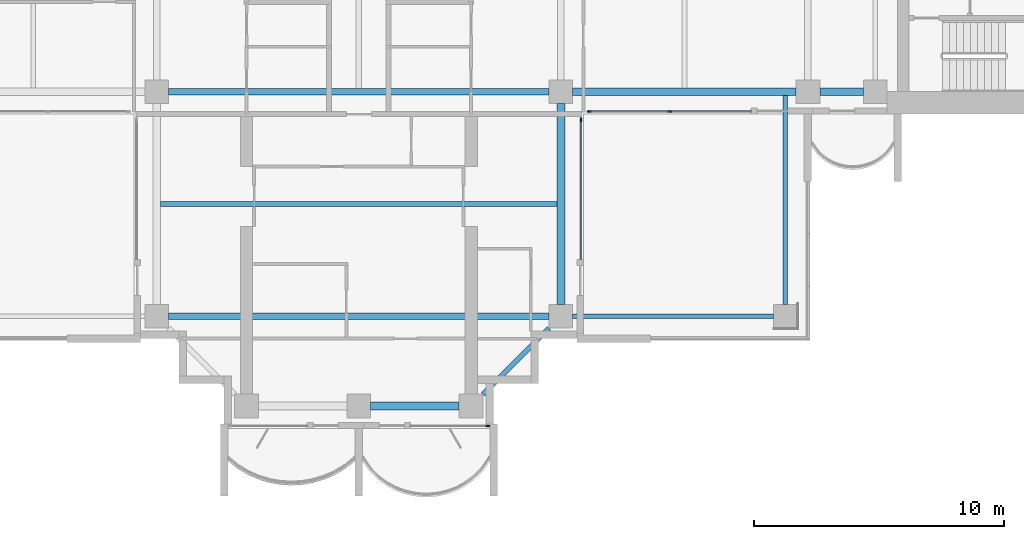
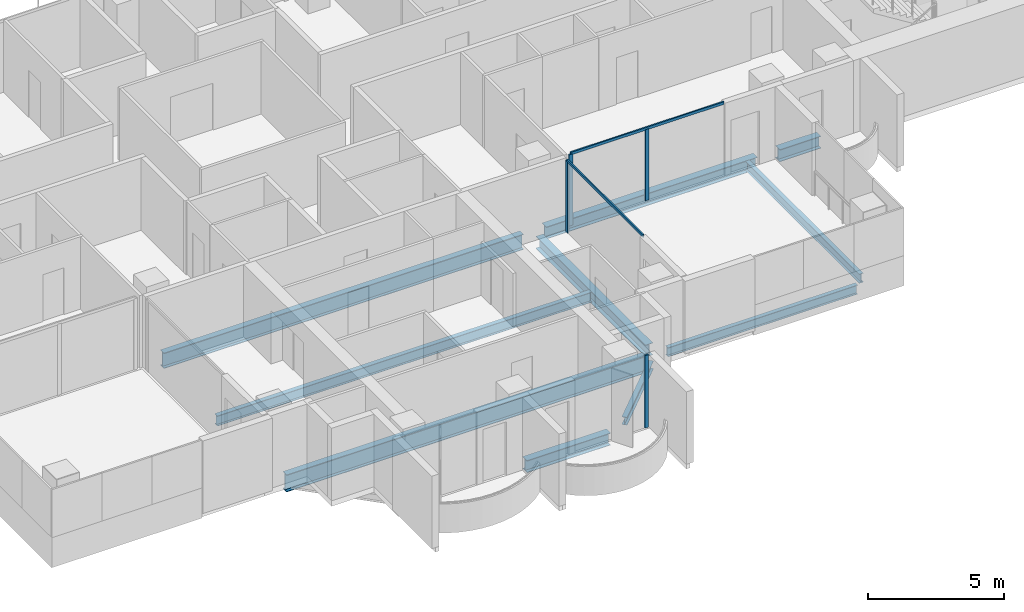
# One storey, part 3 of 17: 10 beams, 6 members, 3 elements without a shape of their own.
"""IFC4 building model written with IfcOpenShell, lengths in metres."""

from ifc_helpers import new_model, si_unit, direction, frame, origin, origin_2d, place, context, subcontext, project, spatial, rectangle, i_section, extrude, material, material_profile, profile_set, type_object, element, aggregate, save


model = new_model("IFC4")

# Units and contexts
model_context = context("Model", 3, precision=1e-05, world=origin(), true_north=direction((0.0, 1.0)))
body_context = subcontext(model_context, "Body", "Model", "MODEL_VIEW")
ifc_project = project(units=[si_unit("LENGTHUNIT", "METRE"), si_unit("AREAUNIT", "SQUARE_METRE"), si_unit("VOLUMEUNIT", "CUBIC_METRE"), si_unit("PLANEANGLEUNIT", "RADIAN"), si_unit("MASSUNIT", "GRAM", prefix="KILO")], contexts=[model_context])

# Site, building, storey
site_placement = place(None, origin())
site = spatial("IfcSite", under=ifc_project, at=site_placement, CompositionType="ELEMENT")
building_placement = place(site_placement, origin())
building = spatial("IfcBuilding", under=site, at=building_placement, Name="Perihelion Cross Residences", CompositionType="ELEMENT")
storey_placement = place(building_placement, frame((0.0, 0.0, 194.60009765625)))
storey = spatial("IfcBuildingStorey", under=building, at=storey_placement, Name="L48", CompositionType="ELEMENT", Elevation=194.60009765625)

# Curtain wall, member
ifc_material_1 = material(Name="Bronze anodised aluminium, tinted glazing", Category="aluminium")
curtain_wall_type = type_object("IfcCurtainWallType", Name="CW1", PredefinedType="NOTDEFINED", material=ifc_material_1)
curtain_wall_1_placement = place(storey_placement, origin())
curtain_wall_1 = element("IfcCurtainWall", 1, at=curtain_wall_1_placement, inside=storey, type_object=curtain_wall_type, Name="Curtain wall CW1 L48 south tip south bay 2", PredefinedType="NOTDEFINED")
ifc_material_2 = material(Name="Bronze anodised aluminium", Category="aluminium")
ifc_material_profile_1 = material_profile(ifc_material_2, rectangle(XDim=0.06005859375, YDim=0.159912109375, at=origin_2d()), Name="CW1 mullion")
ifc_profile_set_1 = profile_set([ifc_material_profile_1], Name="Bronze anodised aluminium")
member_type_1 = type_object("IfcMemberType", Name="CW1 mullion", PredefinedType="MULLION", material=ifc_profile_set_1)
member_1_placement = place(storey_placement, frame((5.169921875, -21.5, 0.0), z_axis=(0.0, 0.0, 1.0), x_axis=(0.0, 1.0, 0.0)))
member_1 = element("IfcMember", 2, at=member_1_placement, type_object=member_type_1, Name="CW1 mullion 2", PredefinedType="MULLION", context=body_context, shape_type="SweptSolid", body=[
    extrude(rectangle(XDim=0.06005859375, YDim=0.159912109375, at=origin_2d()), origin(), (0.0, 0.0, 1.0), 3.25),
])
aggregate(curtain_wall_1, [member_1])

curtain_wall_2_placement = place(storey_placement, origin())
curtain_wall_2 = element("IfcCurtainWall", 3, at=curtain_wall_2_placement, inside=storey, type_object=curtain_wall_type, Name="Curtain wall CW1 L48 south side east bay 1", PredefinedType="NOTDEFINED")
member_2_placement = place(storey_placement, frame((8.89990234375, -9.22998046875, 0.0), z_axis=(0.0, 0.0, 1.0), x_axis=(-1.0, 0.0, 0.0)))
member_2 = element("IfcMember", 4, at=member_2_placement, type_object=member_type_1, Name="CW1 mullion 2", PredefinedType="MULLION", context=body_context, shape_type="SweptSolid", body=[
    extrude(rectangle(XDim=0.06005859375, YDim=0.159912109375, at=origin_2d()), origin(), (0.0, 0.0, 1.0), 3.18994140625),
])

# Curtain wall, members
curtain_wall_3_placement = place(storey_placement, origin())
curtain_wall_3 = element("IfcCurtainWall", 5, at=curtain_wall_3_placement, inside=storey, type_object=curtain_wall_type, Name="Curtain wall CW1 L48 east side south bay 1", PredefinedType="NOTDEFINED")
member_3_placement = place(storey_placement, frame((9.22998046875, -8.89990234375, 0.0), z_axis=(0.0, 0.0, 1.0), x_axis=(0.0, 1.0, 0.0)))
member_3 = element("IfcMember", 6, at=member_3_placement, type_object=member_type_1, Name="CW1 mullion 1", PredefinedType="MULLION", context=body_context, shape_type="SweptSolid", body=[
    extrude(rectangle(XDim=0.06005859375, YDim=0.159912109375, at=origin_2d()), origin(), (0.0, 0.0, 1.0), 3.18994140625),
])
member_4_placement = place(storey_placement, frame((12.46240234375, -8.89990234375, 0.0), z_axis=(0.0, 0.0, 1.0), x_axis=(0.0, 1.0, 0.0)))
member_4 = element("IfcMember", 7, at=member_4_placement, type_object=member_type_1, Name="CW1 mullion 2", PredefinedType="MULLION", context=body_context, shape_type="SweptSolid", body=[
    extrude(rectangle(XDim=0.06005859375, YDim=0.159912109375, at=origin_2d()), origin(), (0.0, 0.0, 1.0), 3.18994140625),
])

# Member
ifc_material_3 = material(Name="Bronze anodised aluminium", Category="aluminium")
ifc_material_profile_2 = material_profile(ifc_material_3, rectangle(XDim=0.06005859375, YDim=0.1201171875, at=origin_2d()), Name="CW1 transom")
ifc_profile_set_2 = profile_set([ifc_material_profile_2], Name="Bronze anodised aluminium")
member_type_2 = type_object("IfcMemberType", Name="CW1 transom", PredefinedType="USERDEFINED", material=ifc_profile_set_2)
member_5_placement = place(storey_placement, frame((8.89990234375, -14.824951171875, 3.219970703125), z_axis=(0.0, 1.0, 0.0), x_axis=(-1.0, 0.0, 0.0)))
member_5 = element("IfcMember", 8, at=member_5_placement, type_object=member_type_2, Name="CW1 head transom", ObjectType="TRANSOM", PredefinedType="USERDEFINED", context=body_context, shape_type="SweptSolid", body=[
    extrude(rectangle(XDim=0.06005859375, YDim=0.1201171875, at=origin_2d()), origin(), (0.0, 0.0, 1.0), 5.594970703125),
])

aggregate(curtain_wall_2, [member_2, member_5])

member_6_placement = place(storey_placement, frame((9.22998046875, -8.89990234375, 3.219970703125), z_axis=(1.0, 0.0, 0.0), x_axis=(0.0, 1.0, 0.0)))
member_6 = element("IfcMember", 9, at=member_6_placement, type_object=member_type_2, Name="CW1 head transom", ObjectType="TRANSOM", PredefinedType="USERDEFINED", context=body_context, shape_type="SweptSolid", body=[
    extrude(rectangle(XDim=0.06005859375, YDim=0.1201171875, at=origin_2d()), origin(), (0.0, 0.0, 1.0), 6.4951171875),
])

aggregate(curtain_wall_3, [member_3, member_4, member_6])

# Beams
ifc_material_4 = material(Name="Steel S355", Category="steel")
ifc_material_profile_3 = material_profile(ifc_material_4, i_section(OverallWidth=0.177978515625, OverallDepth=0.406005859375, WebThickness=0.0078125, FlangeThickness=0.0126953125, at=origin_2d()), Name="W410x60")
ifc_profile_set_3 = profile_set([ifc_material_profile_3], Name="Steel S355")
beam_type_1 = type_object("IfcBeamType", Name="Core edge beam W410x60", PredefinedType="BEAM", material=ifc_profile_set_3)
beam_1_placement = place(storey_placement, frame((17.10009765625, -8.256103515625, -0.453125), z_axis=(0.0, -1.0, 0.0), x_axis=(1.0, 0.0, 0.0)))
element("IfcBeam", 10, at=beam_1_placement, inside=storey, type_object=beam_type_1, Name="Core edge beam TB2 L48 corner no. 3", PredefinedType="BEAM", context=body_context, shape_type="SweptSolid", body=[
    extrude(i_section(OverallWidth=0.177978515625, OverallDepth=0.406005859375, WebThickness=0.0078125, FlangeThickness=0.0126953125, at=origin_2d()), origin(), (0.0, 0.0, 1.0), 8.368896484375),
])
beam_2_placement = place(storey_placement, frame((8.574951171875, -17.10009765625, -0.453125), z_axis=(1.0, 0.0, 0.0), x_axis=(0.0, 1.0, 0.0)))
element("IfcBeam", 11, at=beam_2_placement, inside=storey, type_object=beam_type_1, Name="Core edge beam TB2 L48 corner no. 4", PredefinedType="BEAM", context=body_context, shape_type="SweptSolid", body=[
    extrude(i_section(OverallWidth=0.177978515625, OverallDepth=0.406005859375, WebThickness=0.0078125, FlangeThickness=0.0126953125, at=origin_2d()), origin(), (0.0, 0.0, 1.0), 8.050048828125),
])
ifc_material_5 = material(Name="Steel S355", Category="steel")
ifc_material_profile_4 = material_profile(ifc_material_5, i_section(OverallWidth=0.31201171875, OverallDepth=0.5439453125, WebThickness=0.0126953125, FlangeThickness=0.020263671875, at=origin_2d()), Name="W530x150")
ifc_profile_set_4 = profile_set([ifc_material_profile_4], Name="Steel S355")
beam_type_2 = type_object("IfcBeamType", Name="Edge beam W530x150", PredefinedType="SPANDREL", material=ifc_profile_set_4)
beam_3_placement = place(storey_placement, frame((0.47509765625, -20.699951171875, -0.522216796875), z_axis=(1.0, 0.0, 0.0), x_axis=(0.0, 1.0, 0.0)))
element("IfcBeam", 12, at=beam_3_placement, inside=storey, type_object=beam_type_2, Name="Edge beam SB4 L48 no. 7", PredefinedType="SPANDREL", context=body_context, shape_type="SweptSolid", body=[
    extrude(i_section(OverallWidth=0.31201171875, OverallDepth=0.5439453125, WebThickness=0.0126953125, FlangeThickness=0.020263671875, at=origin_2d()), origin(), (0.0, 0.0, 1.0), 3.5498046875),
])
beam_4_placement = place(storey_placement, frame((8.10009765625, -16.625, -0.522216796875), z_axis=(0.0, 1.0, 0.0), x_axis=(-1.0, 0.0, 0.0)))
element("IfcBeam", 13, at=beam_4_placement, inside=storey, type_object=beam_type_2, Name="Edge beam SB4 L48 no. 11", PredefinedType="SPANDREL", context=body_context, shape_type="SweptSolid", body=[
    extrude(i_section(OverallWidth=0.31201171875, OverallDepth=0.5439453125, WebThickness=0.0126953125, FlangeThickness=0.020263671875, at=origin_2d()), origin(), (0.0, 0.0, 1.0), 8.050048828125),
])
beam_5_placement = place(storey_placement, frame((8.574951171875, -8.10009765625, -0.522216796875), z_axis=(1.0, 0.0, 0.0), x_axis=(0.0, 1.0, 0.0)))
element("IfcBeam", 14, at=beam_5_placement, inside=storey, type_object=beam_type_2, Name="Edge beam SB4 L48 no. 12", PredefinedType="SPANDREL", context=body_context, shape_type="SweptSolid", body=[
    extrude(i_section(OverallWidth=0.31201171875, OverallDepth=0.5439453125, WebThickness=0.0126953125, FlangeThickness=0.020263671875, at=origin_2d()), origin(), (0.0, 0.0, 1.0), 8.949951171875),
])
beam_6_placement = place(storey_placement, frame((18.47509765625, -8.10009765625, -0.522216796875), z_axis=(1.0, 0.0, 0.0), x_axis=(0.0, 1.0, 0.0)))
element("IfcBeam", 15, at=beam_6_placement, inside=storey, type_object=beam_type_2, Name="Edge beam SB4 L48 no. 8", PredefinedType="SPANDREL", context=body_context, shape_type="SweptSolid", body=[
    extrude(i_section(OverallWidth=0.31201171875, OverallDepth=0.5439453125, WebThickness=0.0126953125, FlangeThickness=0.020263671875, at=origin_2d()), origin(), (0.0, 0.0, 1.0), 1.75),
])
ifc_material_6 = material(Name="Steel S355", Category="steel")
ifc_material_profile_5 = material_profile(ifc_material_6, i_section(OverallWidth=0.26708984375, OverallDepth=0.77001953125, WebThickness=0.015625, FlangeThickness=0.025390625, at=origin_2d()), Name="W760x196")
ifc_profile_set_5 = profile_set([ifc_material_profile_5], Name="Steel S355")
beam_type_3 = type_object("IfcBeamType", Name="Floor girder W760x196", PredefinedType="BEAM", material=ifc_profile_set_5)
beam_7_placement = place(storey_placement, frame((-7.625, -17.10009765625, -0.635009765625), z_axis=(1.0, 0.0, 0.0), x_axis=(0.0, 1.0, 0.0)))
element("IfcBeam", 16, at=beam_7_placement, inside=storey, type_object=beam_type_3, Name="Girder G4 L48 no. 3", PredefinedType="BEAM", context=body_context, shape_type="SweptSolid", body=[
    extrude(i_section(OverallWidth=0.26708984375, OverallDepth=0.77001953125, WebThickness=0.015625, FlangeThickness=0.025390625, at=origin_2d()), origin(), (0.0, 0.0, 1.0), 15.25),
])
ifc_material_7 = material(Name="Steel S355", Category="steel")
ifc_material_profile_6 = material_profile(ifc_material_7, i_section(OverallWidth=0.19091796875, OverallDepth=0.45703125, WebThickness=0.009033203125, FlangeThickness=0.014404296875, at=origin_2d()), Name="W460x74")
ifc_profile_set_6 = profile_set([ifc_material_profile_6], Name="Steel S355")
beam_type_4 = type_object("IfcBeamType", Name="Floor joist W460x74", PredefinedType="JOIST", material=ifc_profile_set_6)
beam_8_placement = place(storey_placement, frame((-7.944091796875, -12.60009765625, -0.478515625), z_axis=(1.0, 0.0, 0.0), x_axis=(0.0, 1.0, 0.0)))
element("IfcBeam", 17, at=beam_8_placement, inside=storey, type_object=beam_type_4, Name="Joist J5 L48 no. 3", PredefinedType="JOIST", context=body_context, shape_type="SweptSolid", body=[
    extrude(i_section(OverallWidth=0.19091796875, OverallDepth=0.45703125, WebThickness=0.009033203125, FlangeThickness=0.014404296875, at=origin_2d()), origin(), (0.0, 0.0, 1.0), 15.88818359375),
])
ifc_material_8 = material(Name="Steel S355", Category="steel")
ifc_material_profile_7 = material_profile(ifc_material_8, i_section(OverallWidth=0.257080078125, OverallDepth=0.693115234375, WebThickness=0.014404296875, FlangeThickness=0.023681640625, at=origin_2d()), Name="W690x170")
ifc_profile_set_7 = profile_set([ifc_material_profile_7], Name="Steel S355")
beam_type_5 = type_object("IfcBeamType", Name="Hub ring girder W690x170", PredefinedType="BEAM", material=ifc_profile_set_7)
beam_9_placement = place(storey_placement, frame((-7.625, -8.10009765625, -0.5966796875), z_axis=(1.0, 0.0, 0.0), x_axis=(0.0, 1.0, 0.0)))
element("IfcBeam", 18, at=beam_9_placement, inside=storey, type_object=beam_type_5, Name="Hub ring girder RG4 L48 no. 1", PredefinedType="BEAM", context=body_context, shape_type="SweptSolid", body=[
    extrude(i_section(OverallWidth=0.257080078125, OverallDepth=0.693115234375, WebThickness=0.014404296875, FlangeThickness=0.023681640625, at=origin_2d()), origin(), (0.0, 0.0, 1.0), 15.25),
])
ifc_material_9 = material(Name="Steel S355", Category="steel")
ifc_material_profile_8 = material_profile(ifc_material_9, i_section(OverallWidth=0.205078125, OverallDepth=0.35302734375, WebThickness=0.009521484375, FlangeThickness=0.016845703125, at=origin_2d()), Name="W360x79")
ifc_profile_set_8 = profile_set([ifc_material_profile_8], Name="Steel S355")
beam_type_6 = type_object("IfcBeamType", Name="Serration edge beam W360x79", PredefinedType="BEAM", material=ifc_profile_set_8)
beam_10_placement = place(storey_placement, frame((4.97509765625, -20.22509765625, -0.426513671875), z_axis=(0.70707420838, 0.707139352493, 0.0), x_axis=(-0.707139352493, 0.70707420838, 0.0)))
element("IfcBeam", 19, at=beam_10_placement, inside=storey, type_object=beam_type_6, Name="Serration edge beam EB4 L48 no. 2", PredefinedType="BEAM", context=body_context, shape_type="SweptSolid", body=[
    extrude(i_section(OverallWidth=0.205078125, OverallDepth=0.35302734375, WebThickness=0.009521484375, FlangeThickness=0.016845703125, at=origin_2d()), origin(), (0.0, 0.0, 1.0), 3.747802734375),
])

save(model, "model.ifc")
